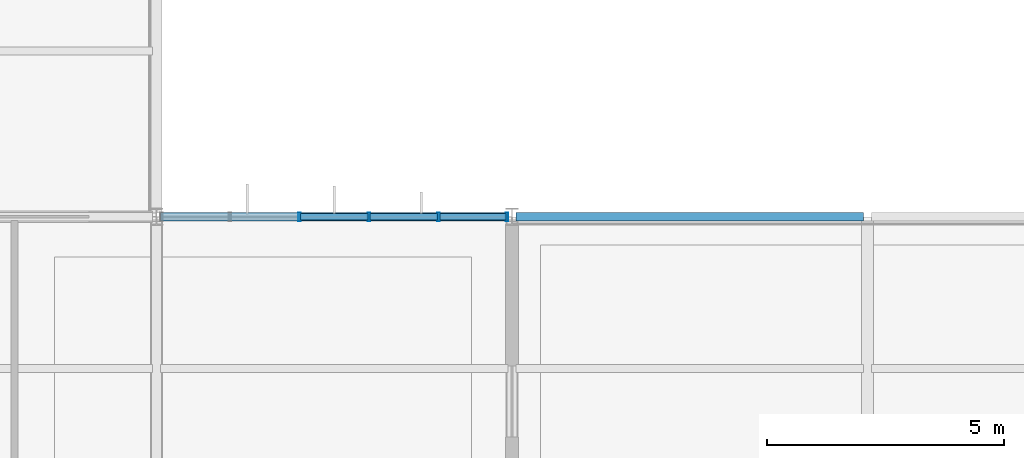
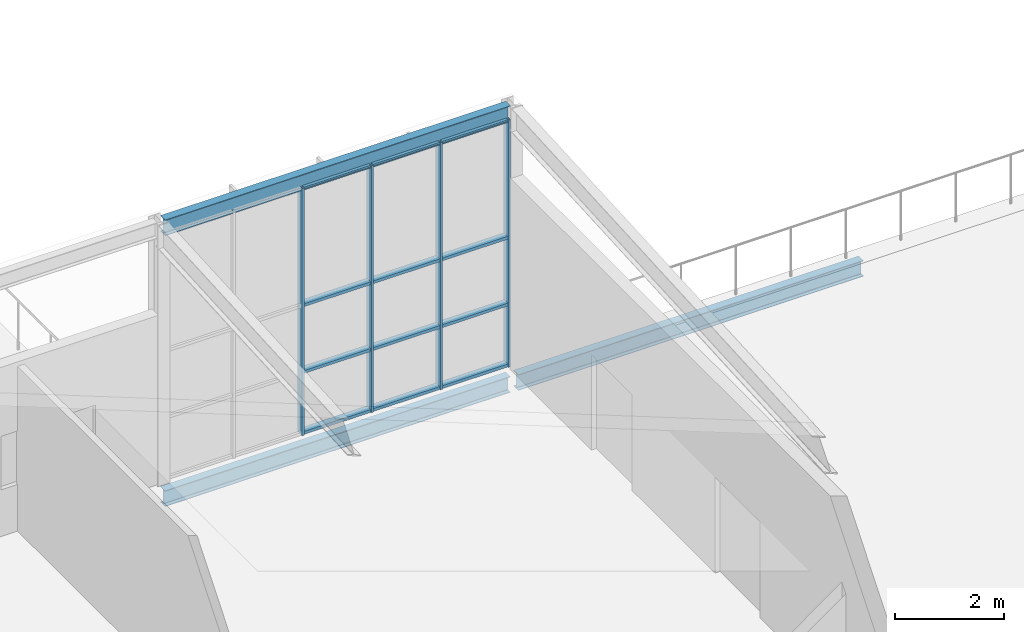
# One storey, part 29 of 104: 16 members, 3 beams, 1 element without a shape of its own.
"""IFC4 building model written with IfcOpenShell, lengths in metres."""

from ifc_helpers import new_model, si_unit, direction, frame, origin, origin_2d, place, context, subcontext, project, spatial, hollow_rectangle, i_section, extrude, material, layer, layer_set, material_profile, profile_set, type_object, element, aggregate, save


model = new_model("IFC4")

# Units and contexts
model_context = context("Model", 3, precision=1e-05, world=origin(), true_north=direction((0.0, 1.0)))
body_context = subcontext(model_context, "Body", "Model", "MODEL_VIEW")
ifc_project = project(units=[si_unit("LENGTHUNIT", "METRE"), si_unit("AREAUNIT", "SQUARE_METRE"), si_unit("VOLUMEUNIT", "CUBIC_METRE"), si_unit("PLANEANGLEUNIT", "RADIAN"), si_unit("MASSUNIT", "GRAM", prefix="KILO")], contexts=[model_context])

# Site, building, storey
site_placement = place(None, origin())
site = spatial("IfcSite", under=ifc_project, at=site_placement, CompositionType="ELEMENT")
building_placement = place(site_placement, origin())
building = spatial("IfcBuilding", under=site, at=building_placement, Name="Solvenia Promenade Tram Depot", CompositionType="ELEMENT")
storey_placement = place(building_placement, frame((0.0, 0.0, 9.0)))
storey = spatial("IfcBuildingStorey", under=building, at=storey_placement, Name="L02", CompositionType="ELEMENT", Elevation=9.0)

# Curtain wall, members
ifc_material_1 = material(Name="Anodized aluminium AW-6063 T6", Category="aluminium")
ifc_layer = layer(ifc_material_1, 0.14990234375, Name="Anodized aluminium AW-6063 T6", Category="aluminium")
ifc_layer_set = layer_set([ifc_layer], Name="Anodized aluminium AW-6063 T6")
curtain_wall_type = type_object("IfcCurtainWallType", Name="CW-Court-1500", PredefinedType="NOTDEFINED", material=ifc_layer_set)
curtain_wall_placement = place(storey_placement, origin())
curtain_wall = element("IfcCurtainWall", 1, at=curtain_wall_placement, inside=storey, type_object=curtain_wall_type, Name="Curtain Wall CW-V4N-L02-07", PredefinedType="NOTDEFINED")
ifc_material_profile_1 = material_profile(ifc_material_1, hollow_rectangle(XDim=0.179931640625, YDim=0.050048828125, WallThickness=0.00390625, at=origin_2d()), Name="ALU-M2", Category="aluminium")
ifc_profile_set_1 = profile_set([ifc_material_profile_1], Name="Anodized aluminium AW-6063 T6")
member_type_1 = type_object("IfcMemberType", Name="CWM-Mullion-2", PredefinedType="MULLION", material=ifc_profile_set_1)
member_1_placement = place(storey_placement, frame((48.01611328125, 24.0, 0.0), z_axis=(0.0, 0.0, 1.0), x_axis=(0.0, 1.0, 0.0)))
member_1 = element("IfcMember", 2, at=member_1_placement, type_object=member_type_1, Name="CW-5 mullion 3", PredefinedType="MULLION", context=body_context, shape_type="SweptSolid", body=[
    extrude(hollow_rectangle(XDim=0.179931640625, YDim=0.050048828125, WallThickness=0.00390625, at=origin_2d()), origin(), (0.0, 0.0, 1.0), 5.550048828125),
])
member_2_placement = place(storey_placement, frame((49.48388671875, 24.0, 0.0), z_axis=(0.0, 0.0, 1.0), x_axis=(0.0, 1.0, 0.0)))
member_2 = element("IfcMember", 3, at=member_2_placement, type_object=member_type_1, Name="CW-5 mullion 4", PredefinedType="MULLION", context=body_context, shape_type="SweptSolid", body=[
    extrude(hollow_rectangle(XDim=0.179931640625, YDim=0.050048828125, WallThickness=0.00390625, at=origin_2d()), origin(), (0.0, 0.0, 1.0), 5.550048828125),
])
member_3_placement = place(storey_placement, frame((50.951904296875, 24.0, 0.0), z_axis=(0.0, 0.0, 1.0), x_axis=(0.0, 1.0, 0.0)))
member_3 = element("IfcMember", 4, at=member_3_placement, type_object=member_type_1, Name="CW-5 mullion 5", PredefinedType="MULLION", context=body_context, shape_type="SweptSolid", body=[
    extrude(hollow_rectangle(XDim=0.179931640625, YDim=0.050048828125, WallThickness=0.00390625, at=origin_2d()), origin(), (0.0, 0.0, 1.0), 5.550048828125),
])
member_4_placement = place(storey_placement, frame((52.39501953125, 24.0, 0.0), z_axis=(0.0, 0.0, 1.0), x_axis=(0.0, 1.0, 0.0)))
member_4 = element("IfcMember", 5, at=member_4_placement, type_object=member_type_1, Name="CW-5 mullion 6", PredefinedType="MULLION", context=body_context, shape_type="SweptSolid", body=[
    extrude(hollow_rectangle(XDim=0.179931640625, YDim=0.050048828125, WallThickness=0.00390625, at=origin_2d()), origin(), (0.0, 0.0, 1.0), 5.550048828125),
])
ifc_material_profile_2 = material_profile(ifc_material_1, hollow_rectangle(XDim=0.139892578125, YDim=0.06494140625, WallThickness=0.00390625, at=origin_2d()), Name="ALU-T2", Category="aluminium")
ifc_profile_set_2 = profile_set([ifc_material_profile_2], Name="Anodized aluminium AW-6063 T6")
member_type_2 = type_object("IfcMemberType", Name="CWT-Transom-2", PredefinedType="USERDEFINED", material=ifc_profile_set_2)
member_5_placement = place(storey_placement, frame((48.041015625, 24.0, 0.032470703125), z_axis=(1.0, 0.0, 0.0), x_axis=(0.0, 1.0, 0.0)))
member_5 = element("IfcMember", 6, at=member_5_placement, type_object=member_type_2, Name="CW-5 transom 3.1", ObjectType="TRANSOM", PredefinedType="USERDEFINED", context=body_context, shape_type="SweptSolid", body=[
    extrude(hollow_rectangle(XDim=0.139892578125, YDim=0.06494140625, WallThickness=0.00390625, at=origin_2d()), origin(), (0.0, 0.0, 1.0), 1.41796875),
])
member_6_placement = place(storey_placement, frame((48.041015625, 24.0, 1.39990234375), z_axis=(1.0, 0.0, 0.0), x_axis=(0.0, 1.0, 0.0)))
member_6 = element("IfcMember", 7, at=member_6_placement, type_object=member_type_2, Name="CW-5 transom 3.2", ObjectType="TRANSOM", PredefinedType="USERDEFINED", context=body_context, shape_type="SweptSolid", body=[
    extrude(hollow_rectangle(XDim=0.139892578125, YDim=0.06494140625, WallThickness=0.00390625, at=origin_2d()), origin(), (0.0, 0.0, 1.0), 1.41796875),
])
member_7_placement = place(storey_placement, frame((48.041015625, 24.0, 2.89990234375), z_axis=(1.0, 0.0, 0.0), x_axis=(0.0, 1.0, 0.0)))
member_7 = element("IfcMember", 8, at=member_7_placement, type_object=member_type_2, Name="CW-5 transom 3.3", ObjectType="TRANSOM", PredefinedType="USERDEFINED", context=body_context, shape_type="SweptSolid", body=[
    extrude(hollow_rectangle(XDim=0.139892578125, YDim=0.06494140625, WallThickness=0.00390625, at=origin_2d()), origin(), (0.0, 0.0, 1.0), 1.41796875),
])
member_8_placement = place(storey_placement, frame((48.041015625, 24.0, 5.517578125), z_axis=(1.0, 0.0, 0.0), x_axis=(0.0, 1.0, 0.0)))
member_8 = element("IfcMember", 9, at=member_8_placement, type_object=member_type_2, Name="CW-5 transom 3.4", ObjectType="TRANSOM", PredefinedType="USERDEFINED", context=body_context, shape_type="SweptSolid", body=[
    extrude(hollow_rectangle(XDim=0.139892578125, YDim=0.06494140625, WallThickness=0.00390625, at=origin_2d()), origin(), (0.0, 0.0, 1.0), 1.41796875),
])
member_9_placement = place(storey_placement, frame((49.509033203125, 24.0, 0.032470703125), z_axis=(1.0, 0.0, 0.0), x_axis=(0.0, 1.0, 0.0)))
member_9 = element("IfcMember", 10, at=member_9_placement, type_object=member_type_2, Name="CW-5 transom 4.1", ObjectType="TRANSOM", PredefinedType="USERDEFINED", context=body_context, shape_type="SweptSolid", body=[
    extrude(hollow_rectangle(XDim=0.139892578125, YDim=0.06494140625, WallThickness=0.00390625, at=origin_2d()), origin(), (0.0, 0.0, 1.0), 1.41796875),
])
member_10_placement = place(storey_placement, frame((49.509033203125, 24.0, 1.39990234375), z_axis=(1.0, 0.0, 0.0), x_axis=(0.0, 1.0, 0.0)))
member_10 = element("IfcMember", 11, at=member_10_placement, type_object=member_type_2, Name="CW-5 transom 4.2", ObjectType="TRANSOM", PredefinedType="USERDEFINED", context=body_context, shape_type="SweptSolid", body=[
    extrude(hollow_rectangle(XDim=0.139892578125, YDim=0.06494140625, WallThickness=0.00390625, at=origin_2d()), origin(), (0.0, 0.0, 1.0), 1.41796875),
])
member_11_placement = place(storey_placement, frame((49.509033203125, 24.0, 2.89990234375), z_axis=(1.0, 0.0, 0.0), x_axis=(0.0, 1.0, 0.0)))
member_11 = element("IfcMember", 12, at=member_11_placement, type_object=member_type_2, Name="CW-5 transom 4.3", ObjectType="TRANSOM", PredefinedType="USERDEFINED", context=body_context, shape_type="SweptSolid", body=[
    extrude(hollow_rectangle(XDim=0.139892578125, YDim=0.06494140625, WallThickness=0.00390625, at=origin_2d()), origin(), (0.0, 0.0, 1.0), 1.41796875),
])
member_12_placement = place(storey_placement, frame((49.509033203125, 24.0, 5.517578125), z_axis=(1.0, 0.0, 0.0), x_axis=(0.0, 1.0, 0.0)))
member_12 = element("IfcMember", 13, at=member_12_placement, type_object=member_type_2, Name="CW-5 transom 4.4", ObjectType="TRANSOM", PredefinedType="USERDEFINED", context=body_context, shape_type="SweptSolid", body=[
    extrude(hollow_rectangle(XDim=0.139892578125, YDim=0.06494140625, WallThickness=0.00390625, at=origin_2d()), origin(), (0.0, 0.0, 1.0), 1.41796875),
])
member_13_placement = place(storey_placement, frame((50.97705078125, 24.0, 0.032470703125), z_axis=(1.0, 0.0, 0.0), x_axis=(0.0, 1.0, 0.0)))
member_13 = element("IfcMember", 14, at=member_13_placement, type_object=member_type_2, Name="CW-5 transom 5.1", ObjectType="TRANSOM", PredefinedType="USERDEFINED", context=body_context, shape_type="SweptSolid", body=[
    extrude(hollow_rectangle(XDim=0.139892578125, YDim=0.06494140625, WallThickness=0.00390625, at=origin_2d()), origin(), (0.0, 0.0, 1.0), 1.39306640625),
])
member_14_placement = place(storey_placement, frame((50.97705078125, 24.0, 1.39990234375), z_axis=(1.0, 0.0, 0.0), x_axis=(0.0, 1.0, 0.0)))
member_14 = element("IfcMember", 15, at=member_14_placement, type_object=member_type_2, Name="CW-5 transom 5.2", ObjectType="TRANSOM", PredefinedType="USERDEFINED", context=body_context, shape_type="SweptSolid", body=[
    extrude(hollow_rectangle(XDim=0.139892578125, YDim=0.06494140625, WallThickness=0.00390625, at=origin_2d()), origin(), (0.0, 0.0, 1.0), 1.39306640625),
])
member_15_placement = place(storey_placement, frame((50.97705078125, 24.0, 2.89990234375), z_axis=(1.0, 0.0, 0.0), x_axis=(0.0, 1.0, 0.0)))
member_15 = element("IfcMember", 16, at=member_15_placement, type_object=member_type_2, Name="CW-5 transom 5.3", ObjectType="TRANSOM", PredefinedType="USERDEFINED", context=body_context, shape_type="SweptSolid", body=[
    extrude(hollow_rectangle(XDim=0.139892578125, YDim=0.06494140625, WallThickness=0.00390625, at=origin_2d()), origin(), (0.0, 0.0, 1.0), 1.39306640625),
])
member_16_placement = place(storey_placement, frame((50.97705078125, 24.0, 5.517578125), z_axis=(1.0, 0.0, 0.0), x_axis=(0.0, 1.0, 0.0)))
member_16 = element("IfcMember", 17, at=member_16_placement, type_object=member_type_2, Name="CW-5 transom 5.4", ObjectType="TRANSOM", PredefinedType="USERDEFINED", context=body_context, shape_type="SweptSolid", body=[
    extrude(hollow_rectangle(XDim=0.139892578125, YDim=0.06494140625, WallThickness=0.00390625, at=origin_2d()), origin(), (0.0, 0.0, 1.0), 1.39306640625),
])
aggregate(curtain_wall, [member_1, member_2, member_3, member_4, member_5, member_6, member_7, member_8, member_9, member_10, member_11, member_12, member_13, member_14, member_15, member_16])

# Beams
ifc_material_2 = material(Name="Structural steel ASTM A992 Gr. 50", Category="steel")
ifc_material_profile_3 = material_profile(ifc_material_2, i_section(OverallWidth=0.172119140625, OverallDepth=0.35791015625, WebThickness=0.0078125, FlangeThickness=0.01318359375, FilletRadius=0.010986328125, at=origin_2d()), Name="W360x57", Category="steel")
ifc_profile_set_3 = profile_set([ifc_material_profile_3], Name="Structural steel ASTM A992 Gr. 50")
beam_type = type_object("IfcBeamType", Name="Spandrel-W360x57", PredefinedType="SPANDREL", material=ifc_profile_set_3)
for number, where, z_axis, x_axis, name in (
    (18, (45.0849609375, 24.0, -0.39892578125), (1.0, 0.0, 0.0), (0.0, 1.0, 0.0), "Perimeter Spandrel BM-L02-0542"),
    (19, (52.5849609375, 24.0, -0.4189453125), (1.0, 0.0, 0.0), (0.0, 1.0, 0.0), "Perimeter Spandrel BM-L02-0750"),
    (20, (45.0849609375, 24.0, 5.680908203125), (1.0, 0.0, 0.0), (0.0, 1.0, 0.0), "Folded Wing Roof Eave Beam BM-L02-0878"),
):
    element("IfcBeam", number, at=place(storey_placement, frame(where, z_axis=z_axis, x_axis=x_axis)), inside=storey, type_object=beam_type, Name=name, PredefinedType="SPANDREL", context=body_context, shape_type="SweptSolid", body=[
        extrude(i_section(OverallWidth=0.172119140625, OverallDepth=0.35791015625, WebThickness=0.0078125, FlangeThickness=0.01318359375, FilletRadius=0.010986328125, at=origin_2d()), origin(), (0.0, 0.0, 1.0), 7.330078125),
    ])

save(model, "model.ifc")
